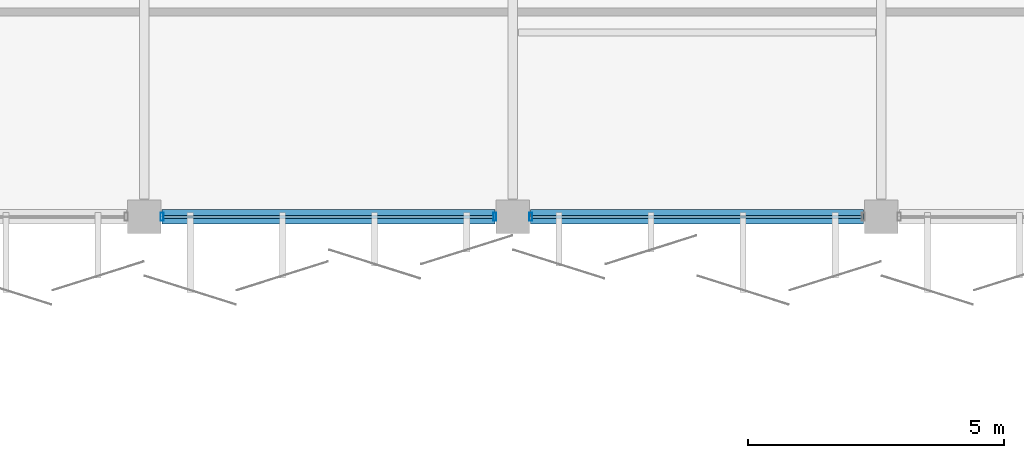
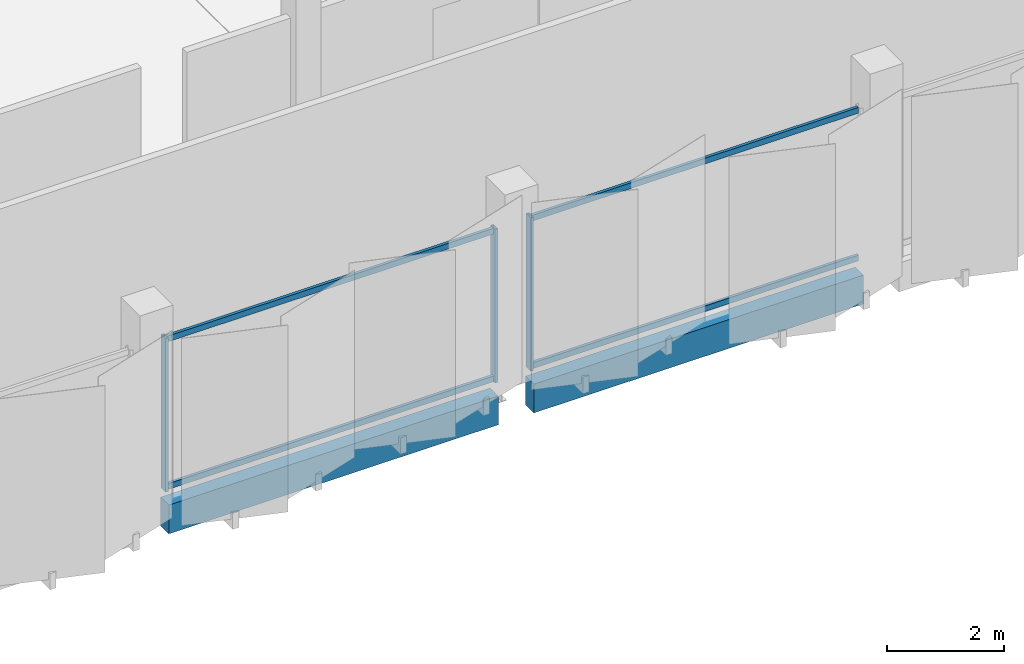
# One storey, part 32 of 108: 7 members, 2 beams, 2 elements without a shape of their own.
"""IFC4 building model written with IfcOpenShell, lengths in metres."""

from ifc_helpers import new_model, si_unit, direction, frame, origin, origin_2d, place, context, subcontext, project, spatial, rectangle, hollow_rectangle, extrude, material, layer, layer_set, material_profile, profile_set, type_object, element, aggregate, save


model = new_model("IFC4")

# Units and contexts
model_context = context("Model", 3, precision=1e-05, world=origin(), true_north=direction((0.0, 1.0)))
body_context = subcontext(model_context, "Body", "Model", "MODEL_VIEW")
ifc_project = project(units=[si_unit("LENGTHUNIT", "METRE"), si_unit("AREAUNIT", "SQUARE_METRE"), si_unit("VOLUMEUNIT", "CUBIC_METRE"), si_unit("PLANEANGLEUNIT", "RADIAN"), si_unit("MASSUNIT", "GRAM", prefix="KILO")], contexts=[model_context])

# Site, building, storey
site_placement = place(None, origin())
site = spatial("IfcSite", under=ifc_project, at=site_placement, CompositionType="ELEMENT")
building_placement = place(site_placement, origin())
building = spatial("IfcBuilding", under=site, at=building_placement, Name="Kangsadwip Square Police Headquarters", CompositionType="ELEMENT")
storey_placement = place(building_placement, frame((0.0, 0.0, 9.449951171875)))
storey = spatial("IfcBuildingStorey", under=building, at=storey_placement, Name="L02", CompositionType="ELEMENT", Elevation=9.449951171875)

# Curtain wall, members
ifc_material_1 = material(Name="Thermally broken anodised aluminium AW-6063-T6", Category="aluminium")
ifc_layer = layer(ifc_material_1, 0.159912109375)
ifc_layer_set = layer_set([ifc_layer], Name="Thermally broken anodised aluminium AW-6063-T6")
curtain_wall_type = type_object("IfcCurtainWallType", Name="CourtScreen6560x3200", PredefinedType="USERDEFINED", material=ifc_layer_set)
curtain_wall_1_placement = place(storey_placement, origin())
curtain_wall_1 = element("IfcCurtainWall", 1, at=curtain_wall_1_placement, inside=storey, type_object=curtain_wall_type, Name="Curtain Wall CW-L02-1155-0936", ObjectType="GLAZED_SCREEN", PredefinedType="USERDEFINED")
ifc_material_2 = material(Name="Thermally broken anodised aluminium AW-6063-T6", Category="aluminium")
ifc_material_profile_1 = material_profile(ifc_material_2, hollow_rectangle(XDim=0.06005859375, YDim=0.159912109375, WallThickness=0.00390625, at=origin_2d()), Name="CWM 160X60X4")
ifc_profile_set_1 = profile_set([ifc_material_profile_1], Name="Thermally broken anodised aluminium AW-6063-T6")
member_type_1 = type_object("IfcMemberType", Name="CwMullion135x60", PredefinedType="MULLION", material=ifc_profile_set_1)
member_1_placement = place(storey_placement, frame((115.550048828125, 93.60009765625, 0.0), z_axis=(0.0, 0.0, 1.0), x_axis=(1.0, 0.0, 0.0)))
member_1 = element("IfcMember", 2, at=member_1_placement, type_object=member_type_1, Name="CW-33 mullion 1", PredefinedType="MULLION", context=body_context, shape_type="SweptSolid", body=[
    extrude(hollow_rectangle(XDim=0.06005859375, YDim=0.159912109375, WallThickness=0.00390625, at=origin_2d()), origin(), (0.0, 0.0, 1.0), 3.199951171875),
])
member_2_placement = place(storey_placement, frame((122.050048828125, 93.60009765625, 0.0), z_axis=(0.0, 0.0, 1.0), x_axis=(1.0, 0.0, 0.0)))
member_2 = element("IfcMember", 3, at=member_2_placement, type_object=member_type_1, Name="CW-33 mullion 2", PredefinedType="MULLION", context=body_context, shape_type="SweptSolid", body=[
    extrude(hollow_rectangle(XDim=0.06005859375, YDim=0.159912109375, WallThickness=0.00390625, at=origin_2d()), origin(), (0.0, 0.0, 1.0), 3.199951171875),
])

# Curtain wall, member
curtain_wall_2_placement = place(storey_placement, origin())
curtain_wall_2 = element("IfcCurtainWall", 4, at=curtain_wall_2_placement, inside=storey, type_object=curtain_wall_type, Name="Curtain Wall CW-L02-1227-0936", ObjectType="GLAZED_SCREEN", PredefinedType="USERDEFINED")
member_3_placement = place(storey_placement, frame((122.75, 93.60009765625, 0.0), z_axis=(0.0, 0.0, 1.0), x_axis=(1.0, 0.0, 0.0)))
member_3 = element("IfcMember", 5, at=member_3_placement, type_object=member_type_1, Name="CW-33 mullion 1", PredefinedType="MULLION", context=body_context, shape_type="SweptSolid", body=[
    extrude(hollow_rectangle(XDim=0.06005859375, YDim=0.159912109375, WallThickness=0.00390625, at=origin_2d()), origin(), (0.0, 0.0, 1.0), 3.199951171875),
])

# Member
ifc_material_3 = material(Name="Thermally broken anodised aluminium AW-6063-T6", Category="aluminium")
ifc_material_profile_2 = material_profile(ifc_material_3, hollow_rectangle(XDim=0.06005859375, YDim=0.1201171875, WallThickness=0.00390625, at=origin_2d()), Name="CWT 120X60X4")
ifc_profile_set_2 = profile_set([ifc_material_profile_2], Name="Thermally broken anodised aluminium AW-6063-T6")
member_type_2 = type_object("IfcMemberType", Name="CwTransom120x55", PredefinedType="USERDEFINED", material=ifc_profile_set_2)
member_4_placement = place(storey_placement, frame((115.580078125, 93.60009765625, 0.06005859375), z_axis=(1.0, 0.0, 0.0), x_axis=(0.0, 1.0, 0.0)))
member_4 = element("IfcMember", 6, at=member_4_placement, type_object=member_type_2, Name="CW-33 transom 1.1", ObjectType="TRANSOM", PredefinedType="USERDEFINED", context=body_context, shape_type="SweptSolid", body=[
    extrude(hollow_rectangle(XDim=0.06005859375, YDim=0.1201171875, WallThickness=0.00390625, at=origin_2d()), origin(), (0.0, 0.0, 1.0), 6.43994140625),
])

member_5_placement = place(storey_placement, frame((115.580078125, 93.60009765625, 3.14013671875), z_axis=(1.0, 0.0, 0.0), x_axis=(0.0, 1.0, 0.0)))
member_5 = element("IfcMember", 7, at=member_5_placement, type_object=member_type_2, Name="CW-33 transom 1.2", ObjectType="TRANSOM", PredefinedType="USERDEFINED", context=body_context, shape_type="SweptSolid", body=[
    extrude(hollow_rectangle(XDim=0.06005859375, YDim=0.1201171875, WallThickness=0.00390625, at=origin_2d()), origin(), (0.0, 0.0, 1.0), 6.43994140625),
])

aggregate(curtain_wall_1, [member_1, member_2, member_4, member_5])

member_6_placement = place(storey_placement, frame((122.780029296875, 93.60009765625, 0.06005859375), z_axis=(1.0, 0.0, 0.0), x_axis=(0.0, 1.0, 0.0)))
member_6 = element("IfcMember", 8, at=member_6_placement, type_object=member_type_2, Name="CW-33 transom 1.1", ObjectType="TRANSOM", PredefinedType="USERDEFINED", context=body_context, shape_type="SweptSolid", body=[
    extrude(hollow_rectangle(XDim=0.06005859375, YDim=0.1201171875, WallThickness=0.00390625, at=origin_2d()), origin(), (0.0, 0.0, 1.0), 6.43994140625),
])

member_7_placement = place(storey_placement, frame((122.780029296875, 93.60009765625, 3.14013671875), z_axis=(1.0, 0.0, 0.0), x_axis=(0.0, 1.0, 0.0)))
member_7 = element("IfcMember", 9, at=member_7_placement, type_object=member_type_2, Name="CW-33 transom 1.2", ObjectType="TRANSOM", PredefinedType="USERDEFINED", context=body_context, shape_type="SweptSolid", body=[
    extrude(hollow_rectangle(XDim=0.06005859375, YDim=0.1201171875, WallThickness=0.00390625, at=origin_2d()), origin(), (0.0, 0.0, 1.0), 6.43994140625),
])

aggregate(curtain_wall_2, [member_3, member_6, member_7])

# Beams
ifc_material_4 = material(Name="Concrete M40 (40 MPa)", Category="concrete")
ifc_material_profile_3 = material_profile(ifc_material_4, rectangle(XDim=0.280029296875, YDim=0.60009765625, at=origin_2d()), Name="RC SPN 600X280")
ifc_profile_set_3 = profile_set([ifc_material_profile_3], Name="Concrete M40 (40 MPa)")
beam_type = type_object("IfcBeamType", Name="RcSpandrel600x280", PredefinedType="SPANDREL", material=ifc_profile_set_3)
for number, where, z_axis, x_axis, name in (
    (10, (115.550048828125, 93.60009765625, -0.5400390625), (1.0, 0.0, 0.0), (0.0, 1.0, 0.0), "Beam BM-L02-X-16-13"),
    (11, (122.75, 93.60009765625, -0.5400390625), (1.0, 0.0, 0.0), (0.0, 1.0, 0.0), "Beam BM-L02-X-17-13"),
):
    element("IfcBeam", number, at=place(storey_placement, frame(where, z_axis=z_axis, x_axis=x_axis)), inside=storey, type_object=beam_type, Name=name, PredefinedType="SPANDREL", context=body_context, shape_type="SweptSolid", body=[
        extrude(rectangle(XDim=0.280029296875, YDim=0.60009765625, at=origin_2d()), origin(), (0.0, 0.0, 1.0), 6.5),
    ])

save(model, "model.ifc")
